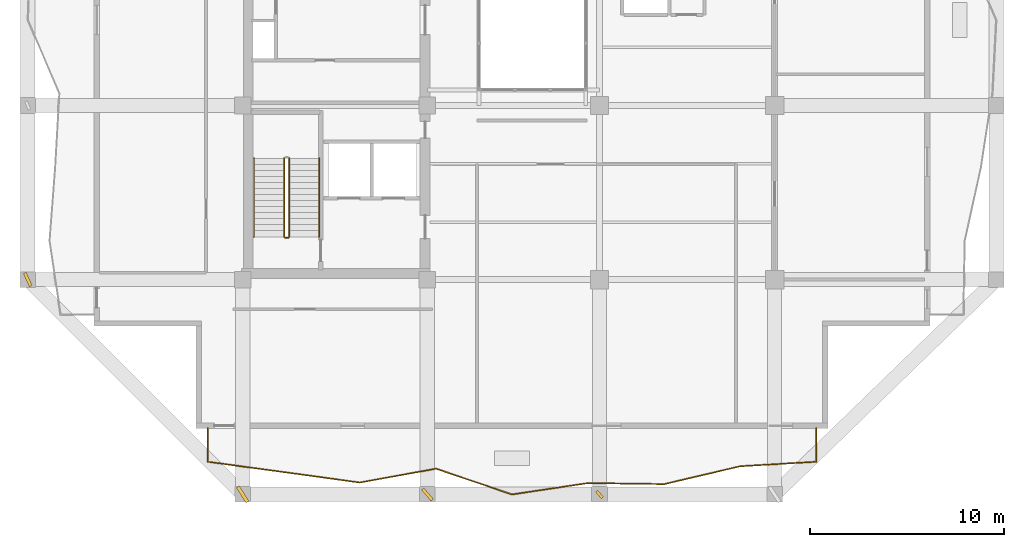
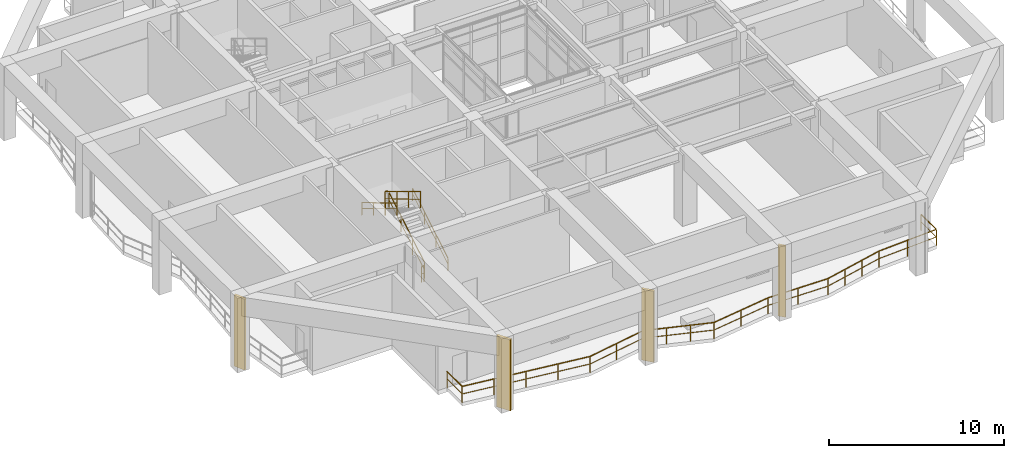
# One storey, part 9 of 13: 6 railings, 4 shading devices.
"""IFC4 building model written with IfcOpenShell, lengths in metres."""

from ifc_helpers import new_model, si_unit, direction, frame, origin, origin_2d, place, context, subcontext, project, spatial, rectangle, extrude, material, type_object, element, save


model = new_model("IFC4")

# Units and contexts
model_context = context("Model", 3, precision=1e-05, world=origin(), true_north=direction((0.0, 1.0)))
body_context = subcontext(model_context, "Body", "Model", "MODEL_VIEW")
ifc_project = project(units=[si_unit("LENGTHUNIT", "METRE"), si_unit("AREAUNIT", "SQUARE_METRE"), si_unit("VOLUMEUNIT", "CUBIC_METRE"), si_unit("PLANEANGLEUNIT", "RADIAN"), si_unit("MASSUNIT", "GRAM", prefix="KILO")], contexts=[model_context])

# Site, building, storey
site_placement = place(None, origin())
site = spatial("IfcSite", under=ifc_project, at=site_placement, CompositionType="ELEMENT")
building_placement = place(site_placement, origin())
building = spatial("IfcBuilding", under=site, at=building_placement, Name="Kundavana Baori Tower", CompositionType="ELEMENT")
storey_placement = place(building_placement, frame((0.0, 0.0, 208.89990234375)))
storey = spatial("IfcBuildingStorey", under=building, at=storey_placement, Name="L51", CompositionType="ELEMENT", Elevation=208.89990234375)

# Railings
ifc_material_1 = material(Name="Architectural Patinated Bronze Metalwork")
railing_type_1 = type_object("IfcRailingType", Name="RL-BAL-1150", PredefinedType="BALUSTRADE", material=ifc_material_1)
railing_1_placement = place(storey_placement, frame((44.949951171875, 7.60009765625, 0.0)))
element("IfcRailing", 1, at=railing_1_placement, inside=storey, type_object=railing_type_1, Name="L51 Loggia Balcony Balustrade S", PredefinedType="BALUSTRADE", context=body_context, shape_type="SweptSolid", body=[
    extrude(rectangle(XDim=0.048095703125, YDim=0.048095703125, at=origin_2d()), frame((0.0, 0.0, 1.1259765625), z_axis=(0.0, -1.0, 0.0), x_axis=(1.0, 0.0, 0.0)), (0.0, 0.0, 1.0), 1.72021484375),
    extrude(rectangle(XDim=0.03125, YDim=0.03125, at=origin_2d()), frame((0.0, 0.0, 0.597900390625), z_axis=(0.0, -1.0, 0.0), x_axis=(1.0, 0.0, 0.0)), (0.0, 0.0, 1.0), 1.72021484375),
    extrude(rectangle(XDim=0.048095703125, YDim=0.048095703125, at=origin_2d()), frame((0.0, -1.72021484375, 1.1259765625), z_axis=(-0.998246981937, -0.059185834915, 0.0), x_axis=(0.059185834915, -0.998246981937, 0.0)), (0.0, 0.0, 1.0), 3.918701171875),
    extrude(rectangle(XDim=0.03125, YDim=0.03125, at=origin_2d()), frame((0.0, -1.72021484375, 0.597900390625), z_axis=(-0.998246981937, -0.059185834915, 0.0), x_axis=(0.059185834915, -0.998246981937, 0.0)), (0.0, 0.0, 1.0), 3.918701171875),
    extrude(rectangle(XDim=0.048095703125, YDim=0.048095703125, at=origin_2d()), frame((-3.911865234375, -1.9521484375, 1.1259765625), z_axis=(-0.973515852472, -0.228619520134, 0.0), x_axis=(0.228619520134, -0.973515852472, 0.0)), (0.0, 0.0, 1.0), 4.01953125),
    extrude(rectangle(XDim=0.03125, YDim=0.03125, at=origin_2d()), frame((-3.911865234375, -1.9521484375, 0.597900390625), z_axis=(-0.973515852472, -0.228619520134, 0.0), x_axis=(0.228619520134, -0.973515852472, 0.0)), (0.0, 0.0, 1.0), 4.01953125),
    extrude(rectangle(XDim=0.048095703125, YDim=0.048095703125, at=origin_2d()), frame((-7.824951171875, -2.87109375, 1.1259765625), z_axis=(-0.999904906523, 0.01379050077, 0.0), x_axis=(-0.01379050077, -0.999904906523, 0.0)), (0.0, 0.0, 1.0), 3.91259765625),
    extrude(rectangle(XDim=0.03125, YDim=0.03125, at=origin_2d()), frame((-7.824951171875, -2.87109375, 0.597900390625), z_axis=(-0.999904906523, 0.01379050077, 0.0), x_axis=(-0.01379050077, -0.999904906523, 0.0)), (0.0, 0.0, 1.0), 3.91259765625),
    extrude(rectangle(XDim=0.048095703125, YDim=0.048095703125, at=origin_2d()), frame((-11.737060546875, -2.817138671875, 1.1259765625), z_axis=(-0.989081184135, -0.147371677027, 0.0), x_axis=(0.147371677027, -0.989081184135, 0.0)), (0.0, 0.0, 1.0), 3.9560546875),
    extrude(rectangle(XDim=0.03125, YDim=0.03125, at=origin_2d()), frame((-11.737060546875, -2.817138671875, 0.597900390625), z_axis=(-0.989081184135, -0.147371677027, 0.0), x_axis=(0.147371677027, -0.989081184135, 0.0)), (0.0, 0.0, 1.0), 3.9560546875),
    extrude(rectangle(XDim=0.048095703125, YDim=0.048095703125, at=origin_2d()), frame((-15.64990234375, -3.400146484375, 1.1259765625), z_axis=(-0.947296863291, 0.32035707078, 0.0), x_axis=(-0.32035707078, -0.947296863291, 0.0)), (0.0, 0.0, 1.0), 4.129638671875),
    extrude(rectangle(XDim=0.03125, YDim=0.03125, at=origin_2d()), frame((-15.64990234375, -3.400146484375, 0.597900390625), z_axis=(-0.947296863291, 0.32035707078, 0.0), x_axis=(-0.32035707078, -0.947296863291, 0.0)), (0.0, 0.0, 1.0), 4.129638671875),
    extrude(rectangle(XDim=0.048095703125, YDim=0.048095703125, at=origin_2d()), frame((-19.56201171875, -2.0771484375, 1.1259765625), z_axis=(-0.98380502376, -0.179241946052, 0.0), x_axis=(0.179241946052, -0.98380502376, 0.0)), (0.0, 0.0, 1.0), 3.977294921875),
    extrude(rectangle(XDim=0.03125, YDim=0.03125, at=origin_2d()), frame((-19.56201171875, -2.0771484375, 0.597900390625), z_axis=(-0.98380502376, -0.179241946052, 0.0), x_axis=(0.179241946052, -0.98380502376, 0.0)), (0.0, 0.0, 1.0), 3.977294921875),
    extrude(rectangle(XDim=0.048095703125, YDim=0.048095703125, at=origin_2d()), frame((-23.474853515625, -2.7900390625, 1.1259765625), z_axis=(-0.990685928468, 0.136166776916, 0.0), x_axis=(-0.136166776916, -0.990685928468, 0.0)), (0.0, 0.0, 1.0), 3.949951171875),
    extrude(rectangle(XDim=0.03125, YDim=0.03125, at=origin_2d()), frame((-23.474853515625, -2.7900390625, 0.597900390625), z_axis=(-0.990685928468, 0.136166776916, 0.0), x_axis=(-0.136166776916, -0.990685928468, 0.0)), (0.0, 0.0, 1.0), 3.949951171875),
    extrude(rectangle(XDim=0.048095703125, YDim=0.048095703125, at=origin_2d()), frame((-27.387939453125, -2.252197265625, 1.1259765625), z_axis=(-0.990880522141, 0.13474342597, 0.0), x_axis=(-0.13474342597, -0.990880522141, 0.0)), (0.0, 0.0, 1.0), 3.947998046875),
    extrude(rectangle(XDim=0.03125, YDim=0.03125, at=origin_2d()), frame((-27.387939453125, -2.252197265625, 0.597900390625), z_axis=(-0.990880522141, 0.13474342597, 0.0), x_axis=(-0.13474342597, -0.990880522141, 0.0)), (0.0, 0.0, 1.0), 3.947998046875),
    extrude(rectangle(XDim=0.048095703125, YDim=0.048095703125, at=origin_2d()), frame((-31.300048828125, -1.72021484375, 1.1259765625), z_axis=(0.0, 1.0, 0.0), x_axis=(-1.0, 0.0, 0.0)), (0.0, 0.0, 1.0), 1.72021484375),
    extrude(rectangle(XDim=0.03125, YDim=0.03125, at=origin_2d()), frame((-31.300048828125, -1.72021484375, 0.597900390625), z_axis=(0.0, 1.0, 0.0), x_axis=(-1.0, 0.0, 0.0)), (0.0, 0.0, 1.0), 1.72021484375),
    extrude(rectangle(XDim=0.0419921875, YDim=0.0419921875, at=origin_2d()), origin(), (0.0, 0.0, 1.0), 1.101806640625),
    extrude(rectangle(XDim=0.0419921875, YDim=0.0419921875, at=origin_2d()), frame((0.0, -1.72021484375, 0.0)), (0.0, 0.0, 1.0), 1.101806640625),
    extrude(rectangle(XDim=0.0419921875, YDim=0.0419921875, at=origin_2d()), frame((-1.9560546875, -1.836181640625, 0.0)), (0.0, 0.0, 1.0), 1.101806640625),
    extrude(rectangle(XDim=0.0419921875, YDim=0.0419921875, at=origin_2d()), frame((-3.911865234375, -1.9521484375, 0.0)), (0.0, 0.0, 1.0), 1.101806640625),
    extrude(rectangle(XDim=0.0419921875, YDim=0.0419921875, at=origin_2d()), frame((-5.21630859375, -2.258544921875, 0.0)), (0.0, 0.0, 1.0), 1.101806640625),
    extrude(rectangle(XDim=0.0419921875, YDim=0.0419921875, at=origin_2d()), frame((-6.5205078125, -2.564697265625, 0.0)), (0.0, 0.0, 1.0), 1.101806640625),
    extrude(rectangle(XDim=0.0419921875, YDim=0.0419921875, at=origin_2d()), frame((-7.824951171875, -2.87109375, 0.0)), (0.0, 0.0, 1.0), 1.101806640625),
    extrude(rectangle(XDim=0.0419921875, YDim=0.0419921875, at=origin_2d()), frame((-9.781005859375, -2.84423828125, 0.0)), (0.0, 0.0, 1.0), 1.101806640625),
    extrude(rectangle(XDim=0.0419921875, YDim=0.0419921875, at=origin_2d()), frame((-11.737060546875, -2.817138671875, 0.0)), (0.0, 0.0, 1.0), 1.101806640625),
    extrude(rectangle(XDim=0.0419921875, YDim=0.0419921875, at=origin_2d()), frame((-13.693359375, -3.108642578125, 0.0)), (0.0, 0.0, 1.0), 1.101806640625),
    extrude(rectangle(XDim=0.0419921875, YDim=0.0419921875, at=origin_2d()), frame((-15.64990234375, -3.400146484375, 0.0)), (0.0, 0.0, 1.0), 1.101806640625),
    extrude(rectangle(XDim=0.0419921875, YDim=0.0419921875, at=origin_2d()), frame((-16.953857421875, -2.959228515625, 0.0)), (0.0, 0.0, 1.0), 1.101806640625),
    extrude(rectangle(XDim=0.0419921875, YDim=0.0419921875, at=origin_2d()), frame((-18.258056640625, -2.51806640625, 0.0)), (0.0, 0.0, 1.0), 1.101806640625),
    extrude(rectangle(XDim=0.0419921875, YDim=0.0419921875, at=origin_2d()), frame((-19.56201171875, -2.0771484375, 0.0)), (0.0, 0.0, 1.0), 1.101806640625),
    extrude(rectangle(XDim=0.0419921875, YDim=0.0419921875, at=origin_2d()), frame((-21.5185546875, -2.43359375, 0.0)), (0.0, 0.0, 1.0), 1.101806640625),
    extrude(rectangle(XDim=0.0419921875, YDim=0.0419921875, at=origin_2d()), frame((-23.474853515625, -2.7900390625, 0.0)), (0.0, 0.0, 1.0), 1.101806640625),
    extrude(rectangle(XDim=0.0419921875, YDim=0.0419921875, at=origin_2d()), frame((-25.431396484375, -2.52099609375, 0.0)), (0.0, 0.0, 1.0), 1.101806640625),
    extrude(rectangle(XDim=0.0419921875, YDim=0.0419921875, at=origin_2d()), frame((-27.387939453125, -2.252197265625, 0.0)), (0.0, 0.0, 1.0), 1.101806640625),
    extrude(rectangle(XDim=0.0419921875, YDim=0.0419921875, at=origin_2d()), frame((-29.343994140625, -1.986328125, 0.0)), (0.0, 0.0, 1.0), 1.101806640625),
    extrude(rectangle(XDim=0.0419921875, YDim=0.0419921875, at=origin_2d()), frame((-31.300048828125, -1.72021484375, 0.0)), (0.0, 0.0, 1.0), 1.101806640625),
    extrude(rectangle(XDim=0.0419921875, YDim=0.0419921875, at=origin_2d()), frame((-31.300048828125, 0.0, 0.0)), (0.0, 0.0, 1.0), 1.101806640625),
])
ifc_material_2 = material(Name="Architectural Patinated Bronze Metalwork")
railing_type_2 = type_object("IfcRailingType", Name="RL-GRD-1150", PredefinedType="GUARDRAIL", material=ifc_material_2)
railing_2_placement = place(storey_placement, frame((17.840087890625, 17.449951171875, 0.185791015625)))
element("IfcRailing", 2, at=railing_2_placement, inside=storey, type_object=railing_type_2, Name="L51 ST1 stair guard 1", PredefinedType="GUARDRAIL", context=body_context, shape_type="SweptSolid", body=[
    extrude(rectangle(XDim=0.048095703125, YDim=0.048095703125, at=origin_2d()), frame((0.0, 0.0, 1.1259765625), z_axis=(0.0, 0.857841222509, 0.51391481489), x_axis=(-1.0, 0.0, 0.0)), (0.0, 0.0, 1.0), 4.69775390625),
    extrude(rectangle(XDim=0.03125, YDim=0.03125, at=origin_2d()), frame((0.0, 0.0, 0.597900390625), z_axis=(0.0, 0.857841222509, 0.51391481489), x_axis=(-1.0, 0.0, 0.0)), (0.0, 0.0, 1.0), 4.69775390625),
    extrude(rectangle(XDim=0.0419921875, YDim=0.0419921875, at=origin_2d()), origin(), (0.0, 0.0, 1.0), 1.101806640625),
    extrude(rectangle(XDim=0.0419921875, YDim=0.0419921875, at=origin_2d()), frame((0.0, 1.34326171875, 0.8046875)), (0.0, 0.0, 1.0), 1.101806640625),
    extrude(rectangle(XDim=0.0419921875, YDim=0.0419921875, at=origin_2d()), frame((0.0, 2.686767578125, 1.609619140625)), (0.0, 0.0, 1.0), 1.101806640625),
    extrude(rectangle(XDim=0.0419921875, YDim=0.0419921875, at=origin_2d()), frame((0.0, 4.030029296875, 2.414306640625)), (0.0, 0.0, 1.0), 1.101806640625),
])
railing_3_placement = place(storey_placement, frame((17.580078125, 21.47998046875, 2.785888671875)))
element("IfcRailing", 3, at=railing_3_placement, inside=storey, type_object=railing_type_2, Name="L51 ST1 stair guard 3", PredefinedType="GUARDRAIL", context=body_context, shape_type="SweptSolid", body=[
    extrude(rectangle(XDim=0.048095703125, YDim=0.048095703125, at=origin_2d()), frame((0.0, 0.0, 1.1259765625), z_axis=(0.0, -0.857841222509, 0.51391481489), x_axis=(1.0, 0.0, 0.0)), (0.0, 0.0, 1.0), 4.69775390625),
    extrude(rectangle(XDim=0.03125, YDim=0.03125, at=origin_2d()), frame((0.0, 0.0, 0.597900390625), z_axis=(0.0, -0.857841222509, 0.51391481489), x_axis=(1.0, 0.0, 0.0)), (0.0, 0.0, 1.0), 4.69775390625),
    extrude(rectangle(XDim=0.0419921875, YDim=0.0419921875, at=origin_2d()), origin(), (0.0, 0.0, 1.0), 1.101806640625),
    extrude(rectangle(XDim=0.0419921875, YDim=0.0419921875, at=origin_2d()), frame((0.0, -1.34326171875, 0.8046875)), (0.0, 0.0, 1.0), 1.101806640625),
    extrude(rectangle(XDim=0.0419921875, YDim=0.0419921875, at=origin_2d()), frame((0.0, -2.686767578125, 1.609619140625)), (0.0, 0.0, 1.0), 1.101806640625),
    extrude(rectangle(XDim=0.0419921875, YDim=0.0419921875, at=origin_2d()), frame((0.0, -4.030029296875, 2.414306640625)), (0.0, 0.0, 1.0), 1.101806640625),
])
railing_4_placement = place(storey_placement, frame((17.7900390625, 17.39990234375, 0.0)))
element("IfcRailing", 4, at=railing_4_placement, inside=storey, type_object=railing_type_2, Name="L51 ST1 stair guard 4", PredefinedType="GUARDRAIL", context=body_context, shape_type="SweptSolid", body=[
    extrude(rectangle(XDim=0.048095703125, YDim=0.048095703125, at=origin_2d()), frame((0.0, 0.0, 1.1259765625), z_axis=(-1.0, 0.0, 0.0), x_axis=(0.0, -1.0, 0.0)), (0.0, 0.0, 1.0), 0.16015625),
    extrude(rectangle(XDim=0.03125, YDim=0.03125, at=origin_2d()), frame((0.0, 0.0, 0.597900390625), z_axis=(-1.0, 0.0, 0.0), x_axis=(0.0, -1.0, 0.0)), (0.0, 0.0, 1.0), 0.16015625),
    extrude(rectangle(XDim=0.0419921875, YDim=0.0419921875, at=origin_2d()), origin(), (0.0, 0.0, 1.0), 1.101806640625),
    extrude(rectangle(XDim=0.0419921875, YDim=0.0419921875, at=origin_2d()), frame((-0.16015625, 0.0, 0.0)), (0.0, 0.0, 1.0), 1.101806640625),
])
ifc_material_3 = material(Name="Architectural Patinated Bronze Metalwork")
railing_type_3 = type_object("IfcRailingType", Name="RL-HND-920", PredefinedType="HANDRAIL", material=ifc_material_3)
railing_5_placement = place(storey_placement, frame((19.389892578125, 17.449951171875, 0.185791015625)))
element("IfcRailing", 5, at=railing_5_placement, inside=storey, type_object=railing_type_3, Name="L51 ST1 stair handrail 1", PredefinedType="HANDRAIL", context=body_context, shape_type="SweptSolid", body=[
    extrude(rectangle(XDim=0.048095703125, YDim=0.048095703125, at=origin_2d()), frame((0.0, 0.0, 0.8759765625), z_axis=(0.0, 0.857841222509, 0.51391481489), x_axis=(-1.0, 0.0, 0.0)), (0.0, 0.0, 1.0), 4.69775390625),
    extrude(rectangle(XDim=0.03125, YDim=0.03125, at=origin_2d()), frame((0.0, 0.0, 0.468017578125), z_axis=(0.0, 0.857841222509, 0.51391481489), x_axis=(-1.0, 0.0, 0.0)), (0.0, 0.0, 1.0), 4.69775390625),
    extrude(rectangle(XDim=0.0419921875, YDim=0.0419921875, at=origin_2d()), origin(), (0.0, 0.0, 1.0), 0.851806640625),
    extrude(rectangle(XDim=0.0419921875, YDim=0.0419921875, at=origin_2d()), frame((0.0, 1.34326171875, 0.8046875)), (0.0, 0.0, 1.0), 0.851806640625),
    extrude(rectangle(XDim=0.0419921875, YDim=0.0419921875, at=origin_2d()), frame((0.0, 2.686767578125, 1.609619140625)), (0.0, 0.0, 1.0), 0.851806640625),
    extrude(rectangle(XDim=0.0419921875, YDim=0.0419921875, at=origin_2d()), frame((0.0, 4.030029296875, 2.414306640625)), (0.0, 0.0, 1.0), 0.851806640625),
])
railing_6_placement = place(storey_placement, frame((16.030029296875, 21.47998046875, 2.785888671875)))
element("IfcRailing", 6, at=railing_6_placement, inside=storey, type_object=railing_type_3, Name="L51 ST1 stair handrail 2", PredefinedType="HANDRAIL", context=body_context, shape_type="SweptSolid", body=[
    extrude(rectangle(XDim=0.048095703125, YDim=0.048095703125, at=origin_2d()), frame((0.0, 0.0, 0.8759765625), z_axis=(0.0, -0.857841222509, 0.51391481489), x_axis=(1.0, 0.0, 0.0)), (0.0, 0.0, 1.0), 4.69775390625),
    extrude(rectangle(XDim=0.03125, YDim=0.03125, at=origin_2d()), frame((0.0, 0.0, 0.468017578125), z_axis=(0.0, -0.857841222509, 0.51391481489), x_axis=(1.0, 0.0, 0.0)), (0.0, 0.0, 1.0), 4.69775390625),
    extrude(rectangle(XDim=0.0419921875, YDim=0.0419921875, at=origin_2d()), origin(), (0.0, 0.0, 1.0), 0.851806640625),
    extrude(rectangle(XDim=0.0419921875, YDim=0.0419921875, at=origin_2d()), frame((0.0, -1.34326171875, 0.8046875)), (0.0, 0.0, 1.0), 0.851806640625),
    extrude(rectangle(XDim=0.0419921875, YDim=0.0419921875, at=origin_2d()), frame((0.0, -2.686767578125, 1.609619140625)), (0.0, 0.0, 1.0), 0.851806640625),
    extrude(rectangle(XDim=0.0419921875, YDim=0.0419921875, at=origin_2d()), frame((0.0, -4.030029296875, 2.414306640625)), (0.0, 0.0, 1.0), 0.851806640625),
])

# Shading devices
ifc_material_4 = material(Name="Red-Buff Dholpur Sandstone Cladding on Concrete C40/50", Category="masonry")
shading_device_type_1 = type_object("IfcShadingDeviceType", Name="SHD-FIN-750", PredefinedType="JALOUSIE", material=ifc_material_4)
for number, where, z_axis, x_axis, name in (
    (7, (24.949951171875, 4.199951171875, 0.0), (0.0, 0.0, 1.0), (0.761312024621, 0.648385688589, 0.0), "L51 Sweeping Dholpur Sandstone Facade Fin 2"),
    (8, (4.39990234375, 15.25, 0.0), (0.0, 0.0, 1.0), (0.910467235008, 0.413581206025, 0.0), "L51 Sweeping Dholpur Sandstone Facade Fin 5"),
):
    element("IfcShadingDevice", number, at=place(storey_placement, frame(where, z_axis=z_axis, x_axis=x_axis)), inside=storey, type_object=shading_device_type_1, Name=name, PredefinedType="JALOUSIE", context=body_context, shape_type="SweptSolid", body=[
        extrude(rectangle(XDim=0.159912109375, YDim=0.75, at=origin_2d()), origin(), (0.0, 0.0, 1.0), 4.9599609375),
    ])
ifc_material_5 = material(Name="Red-Buff Dholpur Sandstone Cladding on Concrete C40/50", Category="masonry")
shading_device_type_2 = type_object("IfcShadingDeviceType", Name="SHD-FIN-920", PredefinedType="JALOUSIE", material=ifc_material_5)
shading_device_1_placement = place(storey_placement, frame((15.449951171875, 4.199951171875, 0.0), z_axis=(0.0, 0.0, 1.0), x_axis=(0.848048096156, 0.529919264233, 0.0)))
element("IfcShadingDevice", 9, at=shading_device_1_placement, inside=storey, type_object=shading_device_type_2, Name="L51 Sweeping Dholpur Sandstone Facade Fin 1", PredefinedType="JALOUSIE", context=body_context, shape_type="SweptSolid", body=[
    extrude(rectangle(XDim=0.179931640625, YDim=0.919921875, at=origin_2d()), origin(), (0.0, 0.0, 1.0), 4.9599609375),
])
ifc_material_6 = material(Name="Architectural Patinated Bronze Metalwork")
shading_device_type_3 = type_object("IfcShadingDeviceType", Name="SHD-LOUV-450", PredefinedType="SHUTTER", material=ifc_material_6)
shading_device_2_placement = place(storey_placement, frame((33.800048828125, 4.199951171875, 0.0), z_axis=(0.0, 0.0, 1.0), x_axis=(0.753678114448, 0.657243714159, 0.0)))
element("IfcShadingDevice", 10, at=shading_device_2_placement, inside=storey, type_object=shading_device_type_3, Name="L51 Sweeping Dholpur Sandstone Facade Fin 3", PredefinedType="SHUTTER", context=body_context, shape_type="SweptSolid", body=[
    extrude(rectangle(XDim=0.139892578125, YDim=0.449951171875, at=origin_2d()), origin(), (0.0, 0.0, 1.0), 4.9599609375),
])

save(model, "model.ifc")
